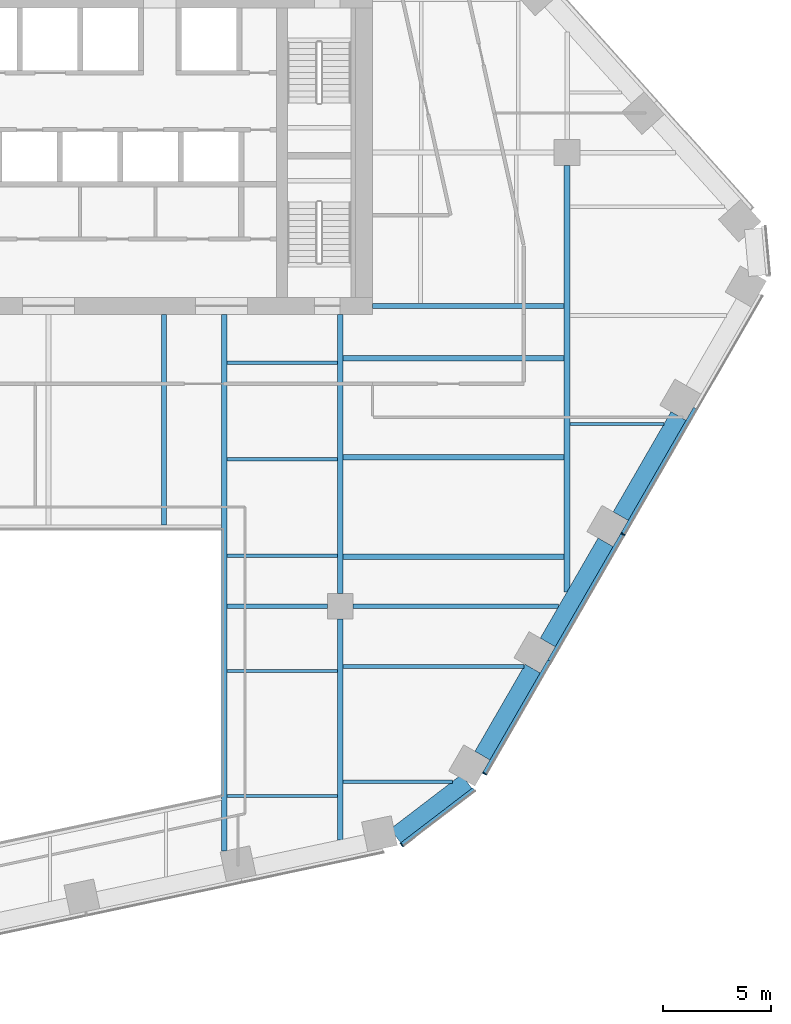
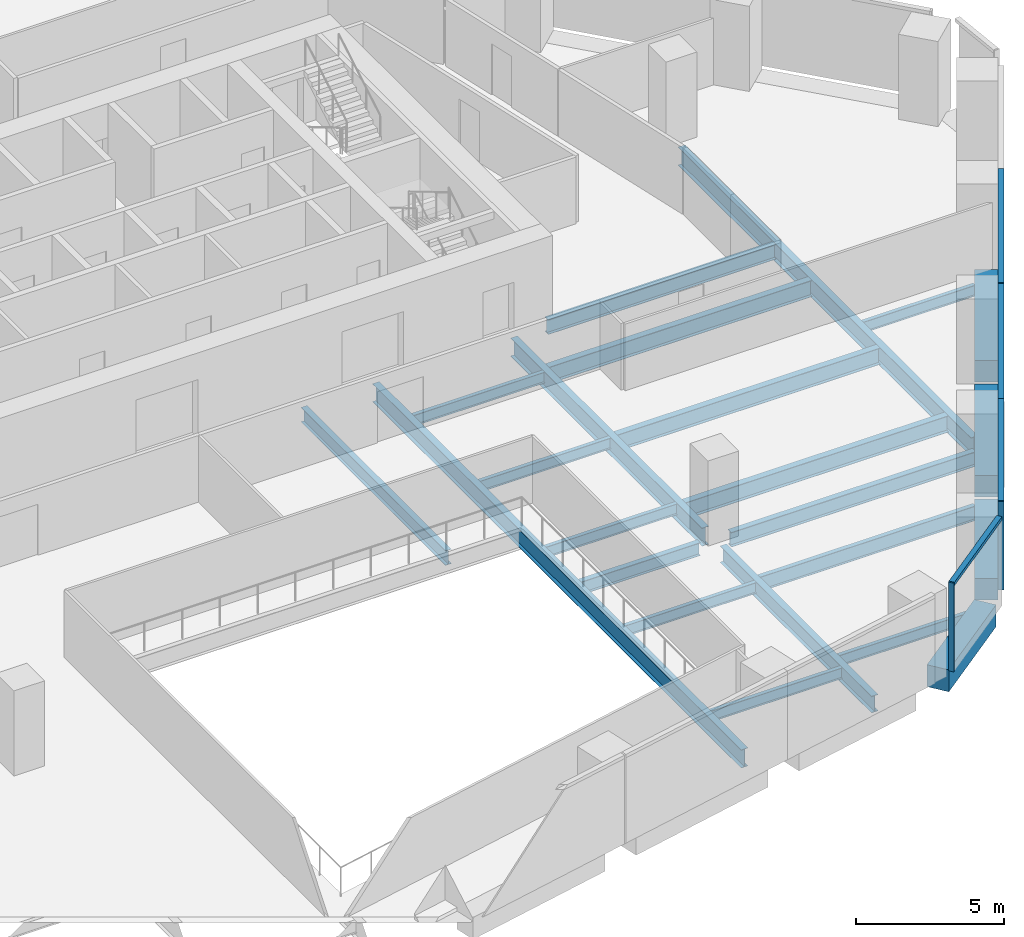
# One storey, part 5 of 16: 23 beams, 7 members, 2 elements without a shape of their own.
"""IFC4 building model written with IfcOpenShell, lengths in metres."""

from ifc_helpers import new_model, si_unit, direction, frame, origin, origin_2d, place, context, subcontext, project, spatial, rectangle, i_section, extrude, material, layer, layer_set, material_profile, profile_set, type_object, element, aggregate, save


model = new_model("IFC4")

# Units and contexts
model_context = context("Model", 3, precision=1e-05, world=origin(), true_north=direction((0.0, 1.0)))
body_context = subcontext(model_context, "Body", "Model", "MODEL_VIEW")
ifc_project = project(units=[si_unit("LENGTHUNIT", "METRE"), si_unit("AREAUNIT", "SQUARE_METRE"), si_unit("VOLUMEUNIT", "CUBIC_METRE"), si_unit("PLANEANGLEUNIT", "RADIAN"), si_unit("MASSUNIT", "GRAM", prefix="KILO")], contexts=[model_context])

# Site, building, storey
site_placement = place(None, origin())
site = spatial("IfcSite", under=ifc_project, at=site_placement, CompositionType="ELEMENT")
building_placement = place(site_placement, origin())
building = spatial("IfcBuilding", under=site, at=building_placement, Name="Isthmus Gate Tower", CompositionType="ELEMENT")
storey_placement = place(building_placement, frame((0.0, 0.0, 137.10009765625)))
storey = spatial("IfcBuildingStorey", under=building, at=storey_placement, Name="L33", CompositionType="ELEMENT", Elevation=137.10009765625)

# Curtain wall, member
ifc_material_1 = material(Name="Aluminium, pale champagne anodised", Category="aluminium")
ifc_layer = layer(ifc_material_1, 0.199951171875)
ifc_layer_set = layer_set([ifc_layer], Name="CW-1 UNITISED CURTAIN WALL 200 DEEP")
curtain_wall_type = type_object("IfcCurtainWallType", Name="CW-1 UNITISED CURTAIN WALL 200 DEEP", PredefinedType="NOTDEFINED", material=ifc_layer_set)
curtain_wall_1_placement = place(storey_placement, origin())
curtain_wall_1 = element("IfcCurtainWall", 1, at=curtain_wall_1_placement, inside=storey, type_object=curtain_wall_type, Name="CW-1 S-SE L33", PredefinedType="NOTDEFINED")
ifc_material_2 = material(Name="Aluminium, pale champagne anodised", Category="aluminium")
ifc_material_profile_1 = material_profile(ifc_material_2, rectangle(XDim=0.06005859375, YDim=0.199951171875, at=origin_2d()), Name="60x200")
ifc_profile_set_1 = profile_set([ifc_material_profile_1], Name="Aluminium, pale champagne anodised")
member_type_1 = type_object("IfcMemberType", Name="CW-1 MULLION 60 X 200", PredefinedType="MULLION", material=ifc_profile_set_1)
member_1_placement = place(storey_placement, frame((16.346435546875, -24.5419921875, 0.0), z_axis=(0.0, 0.0, 1.0), x_axis=(0.794188594387, 0.607671355706, 0.0)))
member_1 = element("IfcMember", 2, at=member_1_placement, type_object=member_type_1, Name="CW-1 mullion", PredefinedType="MULLION", context=body_context, shape_type="SweptSolid", body=[
    extrude(rectangle(XDim=0.06005859375, YDim=0.199951171875, at=origin_2d()), origin(), (0.0, 0.0, 1.0), 3.64990234375),
])

# Curtain wall, members
curtain_wall_2_placement = place(storey_placement, origin())
curtain_wall_2 = element("IfcCurtainWall", 3, at=curtain_wall_2_placement, inside=storey, type_object=curtain_wall_type, Name="CW-1 SE L33", PredefinedType="NOTDEFINED")
member_2_placement = place(storey_placement, frame((20.18115234375, -21.245361328125, 0.0), z_axis=(0.0, 0.0, 1.0), x_axis=(0.5, 0.866025403784, 0.0)))
member_2 = element("IfcMember", 4, at=member_2_placement, type_object=member_type_1, Name="CW-1 mullion", PredefinedType="MULLION", context=body_context, shape_type="SweptSolid", body=[
    extrude(rectangle(XDim=0.06005859375, YDim=0.199951171875, at=origin_2d()), origin(), (0.0, 0.0, 1.0), 3.64990234375),
])
member_3_placement = place(storey_placement, frame((26.5810546875, -10.16015625, 0.0), z_axis=(0.0, 0.0, 1.0), x_axis=(0.5, 0.866025403784, 0.0)))
member_3 = element("IfcMember", 5, at=member_3_placement, type_object=member_type_1, Name="CW-1 mullion", PredefinedType="MULLION", context=body_context, shape_type="SweptSolid", body=[
    extrude(rectangle(XDim=0.06005859375, YDim=0.199951171875, at=origin_2d()), origin(), (0.0, 0.0, 1.0), 3.64990234375),
])

# Member
ifc_material_3 = material(Name="Aluminium, pale champagne anodised", Category="aluminium")
ifc_material_profile_2 = material_profile(ifc_material_3, rectangle(XDim=0.199951171875, YDim=0.139892578125, at=origin_2d()), Name="200x140")
ifc_profile_set_2 = profile_set([ifc_material_profile_2], Name="Aluminium, pale champagne anodised")
member_type_2 = type_object("IfcMemberType", Name="CW-1 TRANSOM 200 X 140", PredefinedType="USERDEFINED", material=ifc_profile_set_2)
member_4_placement = place(storey_placement, frame((16.3701171875, -24.52392578125, 3.579833984375), z_axis=(0.79419705805, 0.607660294066, 0.0), x_axis=(-0.607660294066, 0.79419705805, 0.0)))
member_4 = element("IfcMember", 6, at=member_4_placement, type_object=member_type_2, Name="CW-1 transom", ObjectType="TRANSOM", PredefinedType="USERDEFINED", context=body_context, shape_type="SweptSolid", body=[
    extrude(rectangle(XDim=0.199951171875, YDim=0.139892578125, at=origin_2d()), origin(), (0.0, 0.0, 1.0), 4.181640625),
])

aggregate(curtain_wall_1, [member_1, member_4])

member_5_placement = place(storey_placement, frame((20.196044921875, -21.219482421875, 3.579833984375), z_axis=(0.499996458184, 0.866027448643, 0.0), x_axis=(-0.866027448643, 0.499996458184, 0.0)))
member_5 = element("IfcMember", 7, at=member_5_placement, type_object=member_type_2, Name="CW-1 transom", ObjectType="TRANSOM", PredefinedType="USERDEFINED", context=body_context, shape_type="SweptSolid", body=[
    extrude(rectangle(XDim=0.199951171875, YDim=0.139892578125, at=origin_2d()), origin(), (0.0, 0.0, 1.0), 5.990234375),
])

member_6_placement = place(storey_placement, frame((23.191162109375, -16.03173828125, 3.579833984375), z_axis=(0.499997969693, 0.866026575979, 0.0), x_axis=(-0.866026575979, 0.499997969693, 0.0)))
member_6 = element("IfcMember", 8, at=member_6_placement, type_object=member_type_2, Name="CW-1 transom", ObjectType="TRANSOM", PredefinedType="USERDEFINED", context=body_context, shape_type="SweptSolid", body=[
    extrude(rectangle(XDim=0.199951171875, YDim=0.139892578125, at=origin_2d()), origin(), (0.0, 0.0, 1.0), 6.75),
])

member_7_placement = place(storey_placement, frame((26.59619140625, -10.134033203125, 3.579833984375), z_axis=(0.499997283838, 0.866026971956, 0.0), x_axis=(-0.866026971956, 0.499997283838, 0.0)))
member_7 = element("IfcMember", 9, at=member_7_placement, type_object=member_type_2, Name="CW-1 transom", ObjectType="TRANSOM", PredefinedType="USERDEFINED", context=body_context, shape_type="SweptSolid", body=[
    extrude(rectangle(XDim=0.199951171875, YDim=0.139892578125, at=origin_2d()), origin(), (0.0, 0.0, 1.0), 6.68994140625),
])

aggregate(curtain_wall_2, [member_2, member_5, member_6, member_3, member_7])

# Beams
ifc_material_4 = material(Name="Concrete f'c 60 MPa", Category="concrete")
ifc_material_profile_3 = material_profile(ifc_material_4, rectangle(XDim=0.800048828125, YDim=0.89990234375, at=origin_2d()), Name="RC 800X900")
ifc_profile_set_3 = profile_set([ifc_material_profile_3], Name="Concrete f'c 60 MPa")
beam_type_1 = type_object("IfcBeamType", Name="RC SPANDREL 800 X 900", PredefinedType="SPANDREL", material=ifc_profile_set_3)
for number, where, z_axis, x_axis, name in (
    (10, (29.158203125, -4.696533203125, -0.4501953125), (-0.500001594578, -0.866024483152, 0.0), (0.866024483152, -0.500001594578, 0.0), "str-spandrel-L33-07"),
    (11, (25.783203125, -10.542236328125, -0.4501953125), (-0.500001594578, -0.866024483152, 0.0), (0.866024483152, -0.500001594578, 0.0), "str-spandrel-L33-08"),
):
    element("IfcBeam", number, at=place(storey_placement, frame(where, z_axis=z_axis, x_axis=x_axis)), inside=storey, type_object=beam_type_1, Name=name, PredefinedType="SPANDREL", context=body_context, shape_type="SweptSolid", body=[
        extrude(rectangle(XDim=0.800048828125, YDim=0.89990234375, at=origin_2d()), origin(), (0.0, 0.0, 1.0), 5.35009765625),
    ])
beam_1_placement = place(storey_placement, frame((22.408203125, -16.387939453125, -0.4501953125), z_axis=(-0.500001179632, -0.866024722723, 0.0), x_axis=(0.866024722723, -0.500001179632, 0.0)))
element("IfcBeam", 12, at=beam_1_placement, inside=storey, type_object=beam_type_1, Name="str-spandrel-L33-09", PredefinedType="SPANDREL", context=body_context, shape_type="SweptSolid", body=[
    extrude(rectangle(XDim=0.800048828125, YDim=0.89990234375, at=origin_2d()), origin(), (0.0, 0.0, 1.0), 4.650390625),
])
beam_2_placement = place(storey_placement, frame((19.354248046875, -21.611083984375, -0.4501953125), z_axis=(-0.794205941875, -0.607648682949, 0.0), x_axis=(0.607648682949, -0.794205941875, 0.0)))
element("IfcBeam", 13, at=beam_2_placement, inside=storey, type_object=beam_type_1, Name="str-spandrel-L33-10", PredefinedType="SPANDREL", context=body_context, shape_type="SweptSolid", body=[
    extrude(rectangle(XDim=0.800048828125, YDim=0.89990234375, at=origin_2d()), origin(), (0.0, 0.0, 1.0), 4.15234375),
])
ifc_material_5 = material(Name="Structural steel ASTM A992 Gr 50", Category="steel")
ifc_material_profile_4 = material_profile(ifc_material_5, i_section(OverallWidth=0.15234375, OverallDepth=0.45068359375, WebThickness=0.0078125, FlangeThickness=0.010986328125, at=origin_2d()), Name="W18X35")
ifc_profile_set_4 = profile_set([ifc_material_profile_4], Name="Structural steel ASTM A992 Gr 50")
beam_type_2 = type_object("IfcBeamType", Name="STEEL FLOOR BEAM W18X35", PredefinedType="JOIST", material=ifc_profile_set_4)
for number, where, z_axis, x_axis, name in (
    (14, (8.263427734375, -22.283203125, -0.37548828125), (1.0, 0.0, 0.0), (0.0, 1.0, 0.0), "str-beam-L33-09-00"),
    (15, (8.263427734375, -16.49755859375, -0.37548828125), (1.0, 0.0, 0.0), (0.0, 1.0, 0.0), "str-beam-L33-09-01"),
):
    element("IfcBeam", number, at=place(storey_placement, frame(where, z_axis=z_axis, x_axis=x_axis)), inside=storey, type_object=beam_type_2, Name=name, PredefinedType="JOIST", context=body_context, shape_type="SweptSolid", body=[
        extrude(i_section(OverallWidth=0.15234375, OverallDepth=0.45068359375, WebThickness=0.0078125, FlangeThickness=0.010986328125, at=origin_2d()), origin(), (0.0, 0.0, 1.0), 5.109619140625),
    ])
for number, where, z_axis, x_axis, name in (
    (16, (8.263427734375, -11.16259765625, -0.37548828125), (1.0, 0.0, 0.0), (0.0, 1.0, 0.0), "str-beam-L33-10-00"),
    (17, (8.263427734375, -6.697509765625, -0.37548828125), (1.0, 0.0, 0.0), (0.0, 1.0, 0.0), "str-beam-L33-10-01"),
    (18, (8.263427734375, -2.232421875, -0.37548828125), (1.0, 0.0, 0.0), (0.0, 1.0, 0.0), "str-beam-L33-10-02"),
):
    element("IfcBeam", number, at=place(storey_placement, frame(where, z_axis=z_axis, x_axis=x_axis)), inside=storey, type_object=beam_type_2, Name=name, PredefinedType="JOIST", context=body_context, shape_type="SweptSolid", body=[
        extrude(i_section(OverallWidth=0.15234375, OverallDepth=0.45068359375, WebThickness=0.0078125, FlangeThickness=0.010986328125, at=origin_2d()), origin(), (0.0, 0.0, 1.0), 5.104736328125),
    ])
beam_3_placement = place(storey_placement, frame((13.626953125, -21.61767578125, -0.37548828125), z_axis=(1.0, 0.0, 0.0), x_axis=(0.0, 1.0, 0.0)))
element("IfcBeam", 19, at=beam_3_placement, inside=storey, type_object=beam_type_2, Name="str-beam-L33-11-00", PredefinedType="JOIST", context=body_context, shape_type="SweptSolid", body=[
    extrude(i_section(OverallWidth=0.15234375, OverallDepth=0.45068359375, WebThickness=0.0078125, FlangeThickness=0.010986328125, at=origin_2d()), origin(), (0.0, 0.0, 1.0), 5.060302734375),
])
beam_4_placement = place(storey_placement, frame((24.13330078125, -5.0625, -0.37548828125), z_axis=(1.0, 0.0, 0.0), x_axis=(0.0, 1.0, 0.0)))
element("IfcBeam", 20, at=beam_4_placement, inside=storey, type_object=beam_type_2, Name="str-beam-L33-16-00", PredefinedType="JOIST", context=body_context, shape_type="SweptSolid", body=[
    extrude(i_section(OverallWidth=0.15234375, OverallDepth=0.45068359375, WebThickness=0.0078125, FlangeThickness=0.010986328125, at=origin_2d()), origin(), (0.0, 0.0, 1.0), 4.351806640625),
])
ifc_material_6 = material(Name="Structural steel ASTM A992 Gr 50", Category="steel")
ifc_material_profile_5 = material_profile(ifc_material_6, i_section(OverallWidth=0.177734375, OverallDepth=0.60009765625, WebThickness=0.009521484375, FlangeThickness=0.0126953125, at=origin_2d()), Name="W24X55")
ifc_profile_set_5 = profile_set([ifc_material_profile_5], Name="Structural steel ASTM A992 Gr 50")
beam_type_3 = type_object("IfcBeamType", Name="STEEL FLOOR BEAM W24X55", PredefinedType="JOIST", material=ifc_profile_set_5)
beam_5_placement = place(storey_placement, frame((13.626953125, -16.2822265625, -0.4501953125), z_axis=(1.0, 0.0, 0.0), x_axis=(0.0, 1.0, 0.0)))
element("IfcBeam", 21, at=beam_5_placement, inside=storey, type_object=beam_type_3, Name="str-beam-L33-11-01", PredefinedType="JOIST", context=body_context, shape_type="SweptSolid", body=[
    extrude(i_section(OverallWidth=0.177734375, OverallDepth=0.60009765625, WebThickness=0.009521484375, FlangeThickness=0.0126953125, at=origin_2d()), origin(), (0.0, 0.0, 1.0), 8.38037109375),
])
ifc_material_7 = material(Name="Structural steel ASTM A992 Gr 50", Category="steel")
ifc_material_profile_6 = material_profile(ifc_material_7, i_section(OverallWidth=0.228515625, OverallDepth=0.603271484375, WebThickness=0.010986328125, FlangeThickness=0.014404296875, at=origin_2d()), Name="W24X68")
ifc_profile_set_6 = profile_set([ifc_material_profile_6], Name="Structural steel ASTM A992 Gr 50")
beam_type_4 = type_object("IfcBeamType", Name="STEEL FLOOR BEAM W24X68", PredefinedType="JOIST", material=ifc_profile_set_6)
beam_6_placement = place(storey_placement, frame((5.333251953125, -9.7333984375, -0.45166015625), z_axis=(0.0, 1.0, 0.0), x_axis=(-1.0, 0.0, 0.0)))
element("IfcBeam", 22, at=beam_6_placement, inside=storey, type_object=beam_type_4, Name="str-beam-L33-06-02", PredefinedType="JOIST", context=body_context, shape_type="SweptSolid", body=[
    extrude(i_section(OverallWidth=0.228515625, OverallDepth=0.603271484375, WebThickness=0.010986328125, FlangeThickness=0.014404296875, at=origin_2d()), origin(), (0.0, 0.0, 1.0), 9.7333984375),
])
ifc_material_8 = material(Name="Structural steel ASTM A992 Gr 50", Category="steel")
ifc_material_profile_7 = material_profile(ifc_material_8, i_section(OverallWidth=0.25390625, OverallDepth=0.679443359375, WebThickness=0.010986328125, FlangeThickness=0.015869140625, at=origin_2d()), Name="W27X84")
ifc_profile_set_7 = profile_set([ifc_material_profile_7], Name="Structural steel ASTM A992 Gr 50")
beam_type_5 = type_object("IfcBeamType", Name="STEEL FLOOR BEAM W27X84", PredefinedType="JOIST", material=ifc_profile_set_7)
for number, where, z_axis, x_axis, name in (
    (23, (13.6318359375, -11.202392578125, -0.48974609375), (1.0, 0.0, 0.0), (0.0, 1.0, 0.0), "str-beam-L33-12-00"),
    (24, (13.6318359375, -6.607177734375, -0.48974609375), (1.0, 0.0, 0.0), (0.0, 1.0, 0.0), "str-beam-L33-12-01"),
    (25, (13.6318359375, -2.011962890625, -0.48974609375), (1.0, 0.0, 0.0), (0.0, 1.0, 0.0), "str-beam-L33-12-02"),
):
    element("IfcBeam", number, at=place(storey_placement, frame(where, z_axis=z_axis, x_axis=x_axis)), inside=storey, type_object=beam_type_5, Name=name, PredefinedType="JOIST", context=body_context, shape_type="SweptSolid", body=[
        extrude(i_section(OverallWidth=0.25390625, OverallDepth=0.679443359375, WebThickness=0.010986328125, FlangeThickness=0.015869140625, at=origin_2d()), origin(), (0.0, 0.0, 1.0), 10.23486328125),
    ])
ifc_material_9 = material(Name="Structural steel ASTM A992 Gr 50", Category="steel")
ifc_material_profile_8 = material_profile(ifc_material_9, i_section(OverallWidth=0.20947265625, OverallDepth=0.533447265625, WebThickness=0.009521484375, FlangeThickness=0.015869140625, at=origin_2d()), Name="W21X62")
ifc_profile_set_8 = profile_set([ifc_material_profile_8], Name="Structural steel ASTM A992 Gr 50")
beam_type_6 = type_object("IfcBeamType", Name="STEEL GIRDER W21X62", PredefinedType="BEAM", material=ifc_profile_set_8)
beam_7_placement = place(storey_placement, frame((8.263427734375, -13.5, -0.416748046875), z_axis=(1.0, 0.0, 0.0), x_axis=(0.0, 1.0, 0.0)))
element("IfcBeam", 26, at=beam_7_placement, inside=storey, type_object=beam_type_6, Name="str-girder-L33-03", PredefinedType="BEAM", context=body_context, shape_type="SweptSolid", body=[
    extrude(i_section(OverallWidth=0.20947265625, OverallDepth=0.533447265625, WebThickness=0.009521484375, FlangeThickness=0.015869140625, at=origin_2d()), origin(), (0.0, 0.0, 1.0), 4.636474609375),
])
ifc_material_10 = material(Name="Structural steel ASTM A992 Gr 50", Category="steel")
ifc_material_profile_9 = material_profile(ifc_material_10, i_section(OverallWidth=0.228515625, OverallDepth=0.6064453125, WebThickness=0.010986328125, FlangeThickness=0.017578125, at=origin_2d()), Name="W24X76")
ifc_profile_set_9 = profile_set([ifc_material_profile_9], Name="Structural steel ASTM A992 Gr 50")
beam_type_7 = type_object("IfcBeamType", Name="STEEL GIRDER W24X76", PredefinedType="BEAM", material=ifc_profile_set_9)
beam_8_placement = place(storey_placement, frame((14.10009765625, -13.5, -0.453369140625), z_axis=(1.0, 0.0, 0.0), x_axis=(0.0, 1.0, 0.0)))
element("IfcBeam", 27, at=beam_8_placement, inside=storey, type_object=beam_type_7, Name="str-girder-L33-04", PredefinedType="BEAM", context=body_context, shape_type="SweptSolid", body=[
    extrude(i_section(OverallWidth=0.228515625, OverallDepth=0.6064453125, WebThickness=0.010986328125, FlangeThickness=0.017578125, at=origin_2d()), origin(), (0.0, 0.0, 1.0), 9.513427734375),
])
beam_9_placement = place(storey_placement, frame((15.0, 0.39990234375, -0.453369140625), z_axis=(1.0, 0.0, 0.0), x_axis=(0.0, 1.0, 0.0)))
element("IfcBeam", 28, at=beam_9_placement, inside=storey, type_object=beam_type_7, Name="str-girder-L33-14", PredefinedType="BEAM", context=body_context, shape_type="SweptSolid", body=[
    extrude(i_section(OverallWidth=0.228515625, OverallDepth=0.6064453125, WebThickness=0.010986328125, FlangeThickness=0.017578125, at=origin_2d()), origin(), (0.0, 0.0, 1.0), 8.86669921875),
])
ifc_material_11 = material(Name="Structural steel ASTM A992 Gr 50", Category="steel")
ifc_material_profile_10 = material_profile(ifc_material_11, i_section(OverallWidth=0.25390625, OverallDepth=0.679443359375, WebThickness=0.010986328125, FlangeThickness=0.015869140625, at=origin_2d()), Name="W27X84")
ifc_profile_set_10 = profile_set([ifc_material_profile_10], Name="Structural steel ASTM A992 Gr 50")
beam_type_8 = type_object("IfcBeamType", Name="STEEL GIRDER W27X84", PredefinedType="BEAM", material=ifc_profile_set_10)
beam_10_placement = place(storey_placement, frame((13.5, -24.3125, -0.48974609375), z_axis=(0.0, 1.0, 0.0), x_axis=(-1.0, 0.0, 0.0)))
element("IfcBeam", 29, at=beam_10_placement, inside=storey, type_object=beam_type_8, Name="str-girder-L33-09", PredefinedType="BEAM", context=body_context, shape_type="SweptSolid", body=[
    extrude(i_section(OverallWidth=0.25390625, OverallDepth=0.679443359375, WebThickness=0.010986328125, FlangeThickness=0.015869140625, at=origin_2d()), origin(), (0.0, 0.0, 1.0), 10.21240234375),
])
ifc_material_12 = material(Name="Structural steel ASTM A992 Gr 50", Category="steel")
ifc_material_profile_11 = material_profile(ifc_material_12, i_section(OverallWidth=0.2666015625, OverallDepth=0.7587890625, WebThickness=0.014404296875, FlangeThickness=0.01904296875, at=origin_2d()), Name="W30X108")
ifc_profile_set_11 = profile_set([ifc_material_profile_11], Name="Structural steel ASTM A992 Gr 50")
beam_type_9 = type_object("IfcBeamType", Name="STEEL GIRDER W30X108", PredefinedType="BEAM", material=ifc_profile_set_11)
beam_11_placement = place(storey_placement, frame((24.0, -12.830810546875, -0.529541015625), z_axis=(0.0, 1.0, 0.0), x_axis=(-1.0, 0.0, 0.0)))
element("IfcBeam", 30, at=beam_11_placement, inside=storey, type_object=beam_type_9, Name="str-girder-L33-11", PredefinedType="BEAM", context=body_context, shape_type="SweptSolid", body=[
    extrude(i_section(OverallWidth=0.2666015625, OverallDepth=0.7587890625, WebThickness=0.014404296875, FlangeThickness=0.01904296875, at=origin_2d()), origin(), (0.0, 0.0, 1.0), 19.730712890625),
])
ifc_material_13 = material(Name="Structural steel ASTM A992 Gr 50", Category="steel")
ifc_material_profile_12 = material_profile(ifc_material_13, i_section(OverallWidth=0.263427734375, OverallDepth=0.749267578125, WebThickness=0.0126953125, FlangeThickness=0.015869140625, at=origin_2d()), Name="W30X90")
ifc_profile_set_12 = profile_set([ifc_material_profile_12], Name="Structural steel ASTM A992 Gr 50")
beam_type_10 = type_object("IfcBeamType", Name="STEEL GIRDER W30X90", PredefinedType="BEAM", material=ifc_profile_set_12)
beam_12_placement = place(storey_placement, frame((13.5, -12.89990234375, -0.524658203125), z_axis=(0.0, 1.0, 0.0), x_axis=(-1.0, 0.0, 0.0)))
element("IfcBeam", 31, at=beam_12_placement, inside=storey, type_object=beam_type_10, Name="str-girder-L33-10", PredefinedType="BEAM", context=body_context, shape_type="SweptSolid", body=[
    extrude(i_section(OverallWidth=0.263427734375, OverallDepth=0.749267578125, WebThickness=0.0126953125, FlangeThickness=0.015869140625, at=origin_2d()), origin(), (0.0, 0.0, 1.0), 12.89990234375),
])
ifc_material_14 = material(Name="Structural steel ASTM A992 Gr 50", Category="steel")
ifc_material_profile_13 = material_profile(ifc_material_14, i_section(OverallWidth=0.263427734375, OverallDepth=0.749267578125, WebThickness=0.0126953125, FlangeThickness=0.015869140625, at=origin_2d()), Name="W30X90")
ifc_profile_set_13 = profile_set([ifc_material_profile_13], Name="Structural steel ASTM A992 Gr 50")
beam_type_11 = type_object("IfcBeamType", Name="STEEL TRIMMER W30X90", PredefinedType="BEAM", material=ifc_profile_set_13)
beam_13_placement = place(storey_placement, frame((8.1318359375, -24.84033203125, -0.524658203125), z_axis=(0.0, 1.0, 0.0), x_axis=(-1.0, 0.0, 0.0)))
element("IfcBeam", 32, at=beam_13_placement, inside=storey, type_object=beam_type_11, Name="str-trimmer-L33-01", PredefinedType="BEAM", context=body_context, shape_type="SweptSolid", body=[
    extrude(i_section(OverallWidth=0.263427734375, OverallDepth=0.749267578125, WebThickness=0.0126953125, FlangeThickness=0.015869140625, at=origin_2d()), origin(), (0.0, 0.0, 1.0), 24.84033203125),
])

save(model, "model.ifc")
